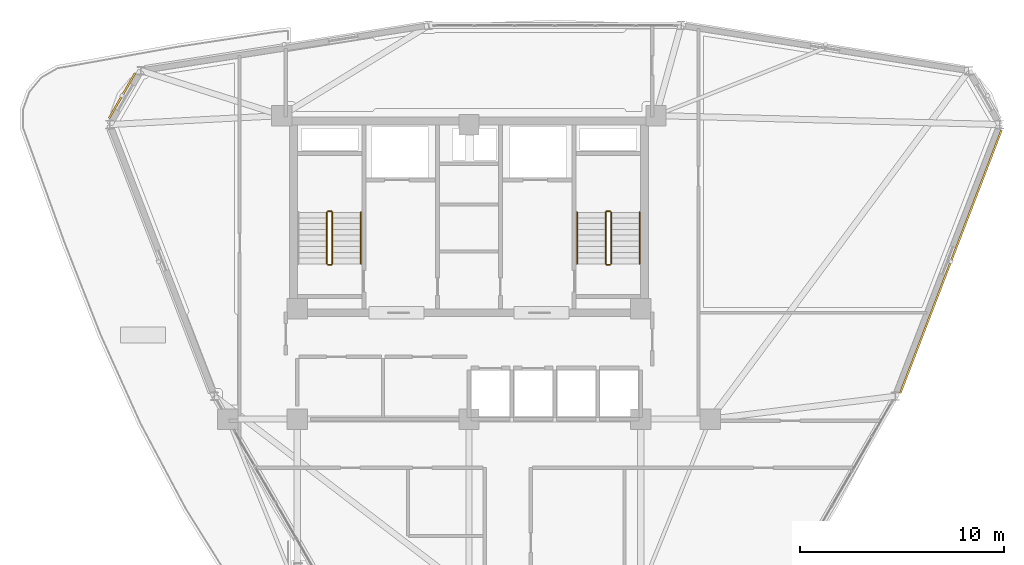
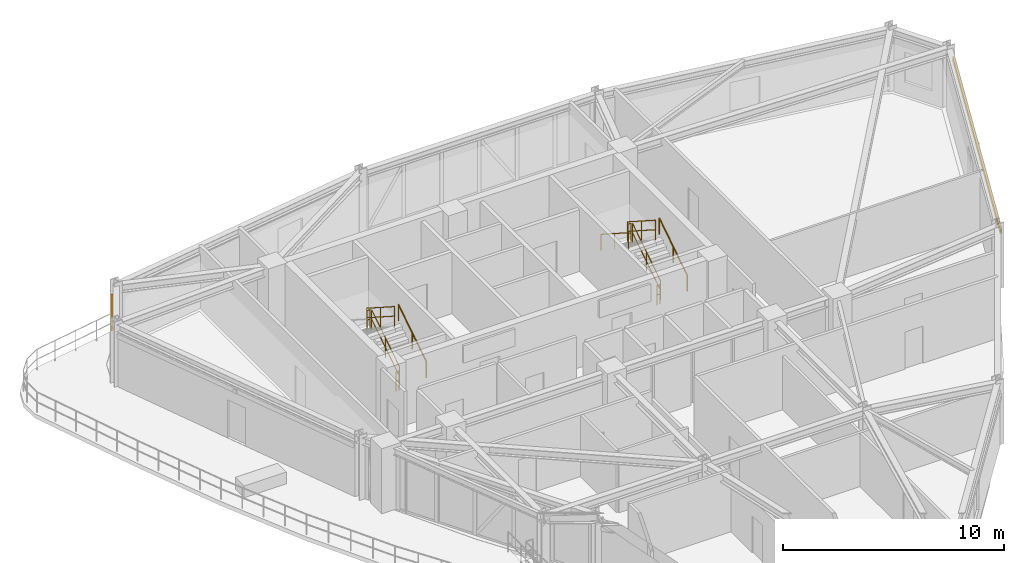
# One storey, part 18 of 19: 11 railings, 2 shading devices.
"""IFC4 building model written with IfcOpenShell, lengths in metres."""

from ifc_helpers import new_model, si_unit, derived_unit, direction, frame, origin, origin_2d, place, context, subcontext, project, spatial, hollow_rectangle, circle, extrude, source, transform, mapped, material, material_profile, profile_set, type_object, element, save


model = new_model("IFC4")

# Units and contexts
model_context = context("Model", 3, precision=1e-05, world=origin(), true_north=direction((0.0, 1.0)))
body_context = subcontext(model_context, "Body", "Model", "MODEL_VIEW")
ifc_project = project(units=[si_unit("LENGTHUNIT", "METRE"), si_unit("AREAUNIT", "SQUARE_METRE"), si_unit("VOLUMEUNIT", "CUBIC_METRE"), si_unit("PLANEANGLEUNIT", "RADIAN"), si_unit("MASSUNIT", "GRAM", prefix="KILO"), derived_unit("THERMALTRANSMITTANCEUNIT", [(si_unit("POWERUNIT", "WATT"), 1), (si_unit("LENGTHUNIT", "METRE"), -2), (si_unit("THERMODYNAMICTEMPERATUREUNIT", "KELVIN"), -1)])], contexts=[model_context])

# Site, building, storey
site_placement = place(None, origin())
site = spatial("IfcSite", under=ifc_project, at=site_placement, CompositionType="ELEMENT")
building_placement = place(site_placement, origin())
building = spatial("IfcBuilding", under=site, at=building_placement, Name="Korsvarv Bourse and Concert Hall", CompositionType="ELEMENT")
storey_placement = place(building_placement, frame((0.0, 0.0, 205.800048828125)))
storey = spatial("IfcBuildingStorey", under=building, at=storey_placement, Name="L53", CompositionType="ELEMENT", Elevation=205.800048828125)

# Railings
ifc_material_1 = material(Name="Painted Steel S355 stair well guardrail", Category="steel")
railing_type_1 = type_object("IfcRailingType", Name="RL-ST-GRD", PredefinedType="GUARDRAIL", material=ifc_material_1)
railing_1_placement = place(storey_placement, frame((29.31005859375, 40.0, 0.179931640625)))
element("IfcRailing", 1, at=railing_1_placement, inside=storey, type_object=railing_type_1, Name="L53 ST-T1 stair guard 1", PredefinedType="GUARDRAIL", context=body_context, shape_type="SweptSolid", body=[
    extrude(circle(Radius=0.02392578125, at=origin_2d()), frame((0.0, 0.0, 1.076171875), z_axis=(0.0, 0.841162588446, 0.540782303519), x_axis=(-1.0, 0.0, 0.0)), (0.0, 0.0, 1.0), 2.995849609375),
    extrude(circle(Radius=0.02392578125, at=origin_2d()), frame((0.0, 0.0, 0.550048828125), z_axis=(0.0, 0.841162588446, 0.540782303519), x_axis=(-1.0, 0.0, 0.0)), (0.0, 0.0, 1.0), 2.995849609375),
    extrude(circle(Radius=0.02099609375, at=origin_2d()), origin(), (0.0, 0.0, 1.0), 1.052001953125),
    extrude(circle(Radius=0.02099609375, at=origin_2d()), frame((0.0, 1.260009765625, 0.81005859375)), (0.0, 0.0, 1.0), 1.052001953125),
    extrude(circle(Radius=0.02099609375, at=origin_2d()), frame((0.0, 2.52001953125, 1.6201171875)), (0.0, 0.0, 1.0), 1.052001953125),
])
railing_2_placement = place(storey_placement, frame((29.260009765625, 42.570068359375, 1.800048828125)))
element("IfcRailing", 2, at=railing_2_placement, inside=storey, type_object=railing_type_1, Name="L53 ST-T1 stair guard 2", PredefinedType="GUARDRAIL", context=body_context, shape_type="SweptSolid", body=[
    extrude(circle(Radius=0.02392578125, at=origin_2d()), frame((0.0, 0.0, 1.076171875), z_axis=(-1.0, 0.0, 0.0), x_axis=(0.0, -1.0, 0.0)), (0.0, 0.0, 1.0), 0.159912109375),
    extrude(circle(Radius=0.02392578125, at=origin_2d()), frame((0.0, 0.0, 0.550048828125), z_axis=(-1.0, 0.0, 0.0), x_axis=(0.0, -1.0, 0.0)), (0.0, 0.0, 1.0), 0.159912109375),
    extrude(circle(Radius=0.02099609375, at=origin_2d()), origin(), (0.0, 0.0, 1.0), 1.052001953125),
    extrude(circle(Radius=0.02099609375, at=origin_2d()), frame((-0.159912109375, 0.0, 0.0)), (0.0, 0.0, 1.0), 1.052001953125),
])
railing_3_placement = place(storey_placement, frame((29.050048828125, 42.52001953125, 1.97998046875)))
element("IfcRailing", 3, at=railing_3_placement, inside=storey, type_object=railing_type_1, Name="L53 ST-T1 stair guard 3", PredefinedType="GUARDRAIL", context=body_context, shape_type="SweptSolid", body=[
    extrude(circle(Radius=0.02392578125, at=origin_2d()), frame((0.0, 0.0, 1.076171875), z_axis=(0.0, -0.841199657755, 0.540724639528), x_axis=(1.0, 0.0, 0.0)), (0.0, 0.0, 1.0), 2.995849609375),
    extrude(circle(Radius=0.02392578125, at=origin_2d()), frame((0.0, 0.0, 0.550048828125), z_axis=(0.0, -0.841199657755, 0.540724639528), x_axis=(1.0, 0.0, 0.0)), (0.0, 0.0, 1.0), 2.995849609375),
    extrude(circle(Radius=0.02099609375, at=origin_2d()), origin(), (0.0, 0.0, 1.0), 1.052001953125),
    extrude(circle(Radius=0.02099609375, at=origin_2d()), frame((0.0, -1.260009765625, 0.81005859375)), (0.0, 0.0, 1.0), 1.052001953125),
    extrude(circle(Radius=0.02099609375, at=origin_2d()), frame((0.0, -2.52001953125, 1.619873046875)), (0.0, 0.0, 1.0), 1.052001953125),
])
railing_4_placement = place(storey_placement, frame((29.260009765625, 39.949951171875, 0.0)))
element("IfcRailing", 4, at=railing_4_placement, inside=storey, type_object=railing_type_1, Name="L53 ST-T1 stair guard 4", PredefinedType="GUARDRAIL", context=body_context, shape_type="SweptSolid", body=[
    extrude(circle(Radius=0.02392578125, at=origin_2d()), frame((0.0, 0.0, 1.076171875), z_axis=(-1.0, 0.0, 0.0), x_axis=(0.0, -1.0, 0.0)), (0.0, 0.0, 1.0), 0.159912109375),
    extrude(circle(Radius=0.02392578125, at=origin_2d()), frame((0.0, 0.0, 0.550048828125), z_axis=(-1.0, 0.0, 0.0), x_axis=(0.0, -1.0, 0.0)), (0.0, 0.0, 1.0), 0.159912109375),
    extrude(circle(Radius=0.02099609375, at=origin_2d()), origin(), (0.0, 0.0, 1.0), 1.052001953125),
    extrude(circle(Radius=0.02099609375, at=origin_2d()), frame((-0.159912109375, 0.0, 0.0)), (0.0, 0.0, 1.0), 1.052001953125),
])
railing_5_placement = place(storey_placement, frame((42.949951171875, 40.0, 0.179931640625)))
element("IfcRailing", 5, at=railing_5_placement, inside=storey, type_object=railing_type_1, Name="L53 ST-T2 stair guard 1", PredefinedType="GUARDRAIL", context=body_context, shape_type="SweptSolid", body=[
    extrude(circle(Radius=0.02392578125, at=origin_2d()), frame((0.0, 0.0, 1.076171875), z_axis=(0.0, 0.841162588446, 0.540782303519), x_axis=(-1.0, 0.0, 0.0)), (0.0, 0.0, 1.0), 2.995849609375),
    extrude(circle(Radius=0.02392578125, at=origin_2d()), frame((0.0, 0.0, 0.550048828125), z_axis=(0.0, 0.841162588446, 0.540782303519), x_axis=(-1.0, 0.0, 0.0)), (0.0, 0.0, 1.0), 2.995849609375),
    extrude(circle(Radius=0.02099609375, at=origin_2d()), origin(), (0.0, 0.0, 1.0), 1.052001953125),
    extrude(circle(Radius=0.02099609375, at=origin_2d()), frame((0.0, 1.260009765625, 0.81005859375)), (0.0, 0.0, 1.0), 1.052001953125),
    extrude(circle(Radius=0.02099609375, at=origin_2d()), frame((0.0, 2.52001953125, 1.6201171875)), (0.0, 0.0, 1.0), 1.052001953125),
])
railing_6_placement = place(storey_placement, frame((42.89990234375, 42.570068359375, 1.800048828125)))
element("IfcRailing", 6, at=railing_6_placement, inside=storey, type_object=railing_type_1, Name="L53 ST-T2 stair guard 2", PredefinedType="GUARDRAIL", context=body_context, shape_type="SweptSolid", body=[
    extrude(circle(Radius=0.02392578125, at=origin_2d()), frame((0.0, 0.0, 1.076171875), z_axis=(-1.0, 0.0, 0.0), x_axis=(0.0, -1.0, 0.0)), (0.0, 0.0, 1.0), 0.159912109375),
    extrude(circle(Radius=0.02392578125, at=origin_2d()), frame((0.0, 0.0, 0.550048828125), z_axis=(-1.0, 0.0, 0.0), x_axis=(0.0, -1.0, 0.0)), (0.0, 0.0, 1.0), 0.159912109375),
    extrude(circle(Radius=0.02099609375, at=origin_2d()), origin(), (0.0, 0.0, 1.0), 1.052001953125),
    extrude(circle(Radius=0.02099609375, at=origin_2d()), frame((-0.159912109375, 0.0, 0.0)), (0.0, 0.0, 1.0), 1.052001953125),
])
railing_7_placement = place(storey_placement, frame((42.68994140625, 42.52001953125, 1.97998046875)))
element("IfcRailing", 7, at=railing_7_placement, inside=storey, type_object=railing_type_1, Name="L53 ST-T2 stair guard 3", PredefinedType="GUARDRAIL", context=body_context, shape_type="SweptSolid", body=[
    extrude(circle(Radius=0.02392578125, at=origin_2d()), frame((0.0, 0.0, 1.076171875), z_axis=(0.0, -0.841199657755, 0.540724639528), x_axis=(1.0, 0.0, 0.0)), (0.0, 0.0, 1.0), 2.995849609375),
    extrude(circle(Radius=0.02392578125, at=origin_2d()), frame((0.0, 0.0, 0.550048828125), z_axis=(0.0, -0.841199657755, 0.540724639528), x_axis=(1.0, 0.0, 0.0)), (0.0, 0.0, 1.0), 2.995849609375),
    extrude(circle(Radius=0.02099609375, at=origin_2d()), origin(), (0.0, 0.0, 1.0), 1.052001953125),
    extrude(circle(Radius=0.02099609375, at=origin_2d()), frame((0.0, -1.260009765625, 0.81005859375)), (0.0, 0.0, 1.0), 1.052001953125),
    extrude(circle(Radius=0.02099609375, at=origin_2d()), frame((0.0, -2.52001953125, 1.619873046875)), (0.0, 0.0, 1.0), 1.052001953125),
])
railing_8_placement = place(storey_placement, frame((42.89990234375, 39.949951171875, 0.0)))
element("IfcRailing", 8, at=railing_8_placement, inside=storey, type_object=railing_type_1, Name="L53 ST-T2 stair guard 4", PredefinedType="GUARDRAIL", context=body_context, shape_type="SweptSolid", body=[
    extrude(circle(Radius=0.02392578125, at=origin_2d()), frame((0.0, 0.0, 1.076171875), z_axis=(-1.0, 0.0, 0.0), x_axis=(0.0, -1.0, 0.0)), (0.0, 0.0, 1.0), 0.159912109375),
    extrude(circle(Radius=0.02392578125, at=origin_2d()), frame((0.0, 0.0, 0.550048828125), z_axis=(-1.0, 0.0, 0.0), x_axis=(0.0, -1.0, 0.0)), (0.0, 0.0, 1.0), 0.159912109375),
    extrude(circle(Radius=0.02099609375, at=origin_2d()), origin(), (0.0, 0.0, 1.0), 1.052001953125),
    extrude(circle(Radius=0.02099609375, at=origin_2d()), frame((-0.159912109375, 0.0, 0.0)), (0.0, 0.0, 1.0), 1.052001953125),
])
ifc_material_2 = material(Name="Brushed stainless Steel S355 tubular handrail", Category="steel")
railing_type_2 = type_object("IfcRailingType", Name="RL-ST-HND", PredefinedType="HANDRAIL", material=ifc_material_2)
for number, where, name in (
    (9, (30.7099609375, 40.0, 0.179931640625), "L53 ST-T1 stair handrail 1"),
    (10, (44.35009765625, 40.0, 0.179931640625), "L53 ST-T2 stair handrail 1"),
):
    element("IfcRailing", number, at=place(storey_placement, frame(where)), inside=storey, type_object=railing_type_2, Name=name, PredefinedType="HANDRAIL", context=body_context, shape_type="SweptSolid", body=[
        extrude(circle(Radius=0.02392578125, at=origin_2d()), frame((0.0, 0.0, 0.8759765625), z_axis=(0.0, 0.841162588446, 0.540782303519), x_axis=(-1.0, 0.0, 0.0)), (0.0, 0.0, 1.0), 2.995849609375),
        extrude(circle(Radius=0.02099609375, at=origin_2d()), origin(), (0.0, 0.0, 1.0), 0.851806640625),
        extrude(circle(Radius=0.02099609375, at=origin_2d()), frame((0.0, 1.260009765625, 0.81005859375)), (0.0, 0.0, 1.0), 0.851806640625),
        extrude(circle(Radius=0.02099609375, at=origin_2d()), frame((0.0, 2.52001953125, 1.6201171875)), (0.0, 0.0, 1.0), 0.851806640625),
    ])
railing_9_placement = place(storey_placement, frame((41.2900390625, 42.52001953125, 1.97998046875)))
element("IfcRailing", 11, at=railing_9_placement, inside=storey, type_object=railing_type_2, Name="L53 ST-T2 stair handrail 2", PredefinedType="HANDRAIL", context=body_context, shape_type="SweptSolid", body=[
    extrude(circle(Radius=0.02392578125, at=origin_2d()), frame((0.0, 0.0, 0.8759765625), z_axis=(0.0, -0.841199657755, 0.540724639528), x_axis=(1.0, 0.0, 0.0)), (0.0, 0.0, 1.0), 2.995849609375),
    extrude(circle(Radius=0.02099609375, at=origin_2d()), origin(), (0.0, 0.0, 1.0), 0.851806640625),
    extrude(circle(Radius=0.02099609375, at=origin_2d()), frame((0.0, -1.260009765625, 0.81005859375)), (0.0, 0.0, 1.0), 0.851806640625),
    extrude(circle(Radius=0.02099609375, at=origin_2d()), frame((0.0, -2.52001953125, 1.619873046875)), (0.0, 0.0, 1.0), 0.851806640625),
])

# Shading devices
ifc_material_3 = material(Name="Glazed extruded architectural terracotta", Category="ceramic")
ifc_material_profile = material_profile(ifc_material_3, hollow_rectangle(XDim=0.090087890625, YDim=0.260009765625, WallThickness=0.011962890625, at=origin_2d()), Name="TC-BAG 90x260")
ifc_profile_set = profile_set([ifc_material_profile], Name="Glazed extruded architectural terracotta")
shading_device_type = type_object("IfcShadingDeviceType", Name="SHD-BAG-1", PredefinedType="USERDEFINED", material=ifc_profile_set)
shared_shape_1 = source(origin(), body_context, "Body", "SweptSolid", [
    extrude(hollow_rectangle(XDim=0.090087890625, YDim=0.260009765625, WallThickness=0.011962890625, at=origin_2d()), origin(), (0.0, 0.0, 1.0), 2.55224609375),
])
shading_device_1_placement = place(storey_placement, frame((19.668701171875, 49.327392578125, 2.85986328125), z_axis=(-0.49997637333, -0.866039044219, 0.0), x_axis=(0.866039044219, -0.49997637333, 0.0)))
element("IfcShadingDevice", 12, at=shading_device_1_placement, inside=storey, type_object=shading_device_type, Name="L53 terracotta baguette sunshade EW-L53-B05", ObjectType="BAGUETTE", PredefinedType="USERDEFINED", context=body_context, shape_type="MappedRepresentation", body=[
    mapped(shared_shape_1, transform((0.0, 0.0, 0.0), scale=1.0)),
])
shared_shape_2 = source(origin(), body_context, "Body", "SweptSolid", [
    extrude(hollow_rectangle(XDim=0.090087890625, YDim=0.260009765625, WallThickness=0.011962890625, at=origin_2d()), origin(), (0.0, 0.0, 1.0), 13.787841796875),
])
shading_device_2_placement = place(storey_placement, frame((57.09716796875, 33.66845703125, 2.85986328125), z_axis=(0.359327900146, 0.933211369507, 0.0), x_axis=(-0.933211369507, 0.359327900146, 0.0)))
element("IfcShadingDevice", 13, at=shading_device_2_placement, inside=storey, type_object=shading_device_type, Name="L53 terracotta baguette sunshade EW-L53-B12", ObjectType="BAGUETTE", PredefinedType="USERDEFINED", context=body_context, shape_type="MappedRepresentation", body=[
    mapped(shared_shape_2, transform((0.0, 0.0, 0.0), scale=1.0)),
])

save(model, "model.ifc")
